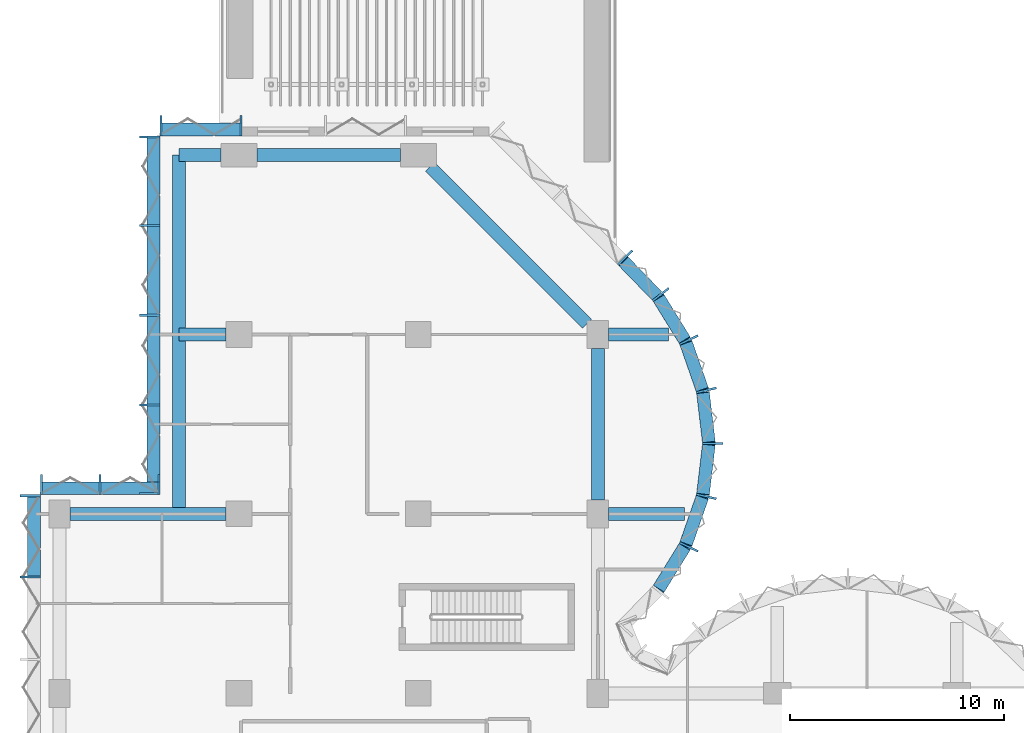
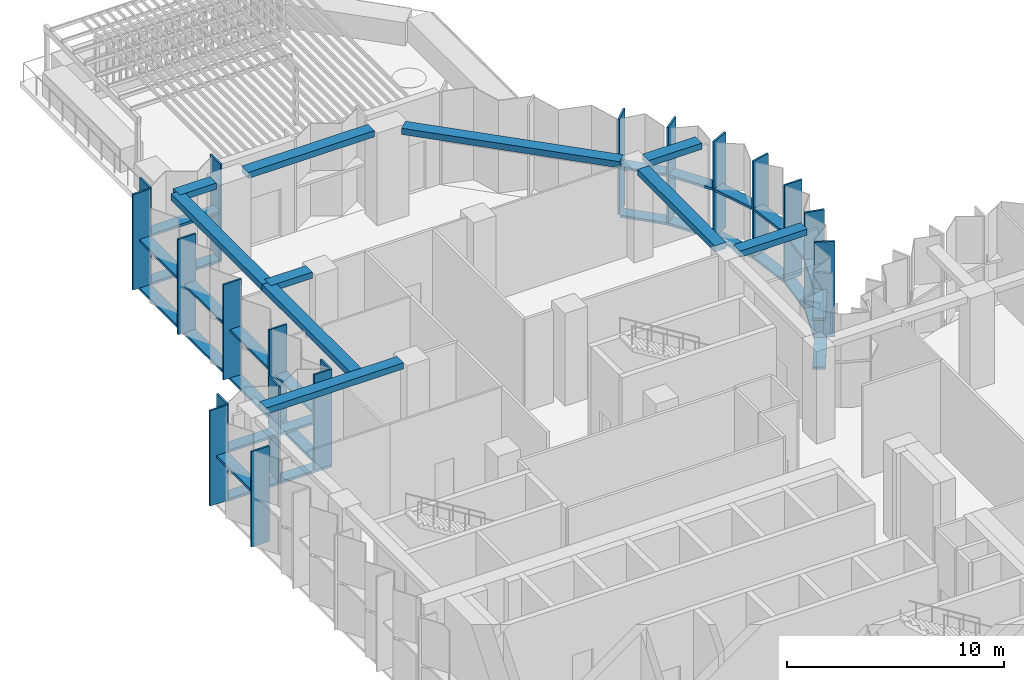
# One storey, part 3 of 15: 44 members, 10 beams, 5 elements without a shape of their own.
"""IFC4 building model written with IfcOpenShell, lengths in metres."""

from ifc_helpers import new_model, si_unit, direction, frame, origin, origin_2d, place, context, subcontext, project, spatial, rectangle, extrude, material, material_profile, profile_set, type_object, element, aggregate, save


model = new_model("IFC4")

# Units and contexts
model_context = context("Model", 3, precision=1e-05, world=origin(), true_north=direction((0.0, 1.0)))
body_context = subcontext(model_context, "Body", "Model", "MODEL_VIEW")
ifc_project = project(units=[si_unit("LENGTHUNIT", "METRE"), si_unit("AREAUNIT", "SQUARE_METRE"), si_unit("VOLUMEUNIT", "CUBIC_METRE"), si_unit("PLANEANGLEUNIT", "RADIAN"), si_unit("MASSUNIT", "GRAM", prefix="KILO")], contexts=[model_context])

# Site, building, storey
site_placement = place(None, origin())
site = spatial("IfcSite", under=ifc_project, at=site_placement, CompositionType="ELEMENT")
building_placement = place(site_placement, origin())
building = spatial("IfcBuilding", under=site, at=building_placement, Name="Brevane Broadcast Tower", CompositionType="ELEMENT")
storey_placement = place(building_placement, frame((0.0, 0.0, 156.5)))
storey = spatial("IfcBuildingStorey", under=building, at=storey_placement, Name="L39", CompositionType="ELEMENT", Elevation=156.5)

# Curtain wall, members
ifc_material_1 = material(Name="Aluminium 6063-T6 bronze anodised", Category="aluminium")
curtain_wall_type = type_object("IfcCurtainWallType", Name="CW-4 curtain wall", PredefinedType="NOTDEFINED", material=ifc_material_1)
curtain_wall_1_placement = place(storey_placement, origin())
curtain_wall_1 = element("IfcCurtainWall", 1, at=curtain_wall_1_placement, inside=storey, type_object=curtain_wall_type, Name="CW-4 sky lobby unit L39 north bow", PredefinedType="NOTDEFINED")
ifc_material_profile_1 = material_profile(ifc_material_1, rectangle(XDim=0.949951171875, YDim=0.10009765625, at=origin_2d()), Name="RECT 100x950")
ifc_profile_set_1 = profile_set([ifc_material_profile_1], Name="Aluminium 6063-T6 bronze anodised")
member_type_1 = type_object("IfcMemberType", Name="CW-4 mullion 100x950", PredefinedType="MULLION", material=ifc_profile_set_1)
member_1_placement = place(storey_placement, frame((29.4580078125, 32.05322265625, -0.159912109375), z_axis=(0.0, 0.0, 1.0), x_axis=(-0.902860518823, 0.429933580394, 0.0)))
member_1 = element("IfcMember", 2, at=member_1_placement, type_object=member_type_1, Name="CW-4 mullion", PredefinedType="MULLION", context=body_context, shape_type="SweptSolid", body=[
    extrude(rectangle(XDim=0.949951171875, YDim=0.10009765625, at=origin_2d()), origin(), (0.0, 0.0, 1.0), 5.35986328125),
])
member_2_placement = place(storey_placement, frame((30.28076171875, 34.411865234375, -0.159912109375), z_axis=(0.0, 0.0, 1.0), x_axis=(-0.974403418306, 0.224806535479, 0.0)))
member_2 = element("IfcMember", 3, at=member_2_placement, type_object=member_type_1, Name="CW-4 mullion", PredefinedType="MULLION", context=body_context, shape_type="SweptSolid", body=[
    extrude(rectangle(XDim=0.949951171875, YDim=0.10009765625, at=origin_2d()), origin(), (0.0, 0.0, 1.0), 5.35986328125),
])
member_3_placement = place(storey_placement, frame((30.574951171875, 36.89990234375, -0.159912109375), z_axis=(0.0, 0.0, 1.0), x_axis=(-1.0, 0.0, 0.0)))
member_3 = element("IfcMember", 4, at=member_3_placement, type_object=member_type_1, Name="CW-4 mullion", PredefinedType="MULLION", context=body_context, shape_type="SweptSolid", body=[
    extrude(rectangle(XDim=0.949951171875, YDim=0.10009765625, at=origin_2d()), origin(), (0.0, 0.0, 1.0), 5.35986328125),
])
member_4_placement = place(storey_placement, frame((30.28076171875, 39.38818359375, -0.159912109375), z_axis=(0.0, 0.0, 1.0), x_axis=(-0.974403418306, -0.224806535479, 0.0)))
member_4 = element("IfcMember", 5, at=member_4_placement, type_object=member_type_1, Name="CW-4 mullion", PredefinedType="MULLION", context=body_context, shape_type="SweptSolid", body=[
    extrude(rectangle(XDim=0.949951171875, YDim=0.10009765625, at=origin_2d()), origin(), (0.0, 0.0, 1.0), 5.35986328125),
])
member_5_placement = place(storey_placement, frame((29.4580078125, 41.746826171875, -0.159912109375), z_axis=(0.0, 0.0, 1.0), x_axis=(-0.902860518823, -0.429933580394, 0.0)))
member_5 = element("IfcMember", 6, at=member_5_placement, type_object=member_type_1, Name="CW-4 mullion", PredefinedType="MULLION", context=body_context, shape_type="SweptSolid", body=[
    extrude(rectangle(XDim=0.949951171875, YDim=0.10009765625, at=origin_2d()), origin(), (0.0, 0.0, 1.0), 5.35986328125),
])
member_6_placement = place(storey_placement, frame((28.1455078125, 43.8720703125, -0.159912109375), z_axis=(0.0, 0.0, 1.0), x_axis=(-0.788706673841, -0.614769698862, 0.0)))
member_6 = element("IfcMember", 7, at=member_6_placement, type_object=member_type_1, Name="CW-4 mullion", PredefinedType="MULLION", context=body_context, shape_type="SweptSolid", body=[
    extrude(rectangle(XDim=0.949951171875, YDim=0.10009765625, at=origin_2d()), origin(), (0.0, 0.0, 1.0), 5.35986328125),
])
member_7_placement = place(storey_placement, frame((26.4755859375, 45.59521484375, -0.159912109375), z_axis=(0.0, 0.0, 1.0), x_axis=(-0.717253728729, -0.696812089895, 0.0)))
member_7 = element("IfcMember", 8, at=member_7_placement, type_object=member_type_1, Name="CW-4 mullion", PredefinedType="MULLION", context=body_context, shape_type="SweptSolid", body=[
    extrude(rectangle(XDim=0.949951171875, YDim=0.10009765625, at=origin_2d()), origin(), (0.0, 0.0, 1.0), 5.35986328125),
])

curtain_wall_2_placement = place(storey_placement, origin())
curtain_wall_2 = element("IfcCurtainWall", 9, at=curtain_wall_2_placement, inside=storey, type_object=curtain_wall_type, Name="CW-4 sky lobby unit L39 north end", PredefinedType="NOTDEFINED")
member_8_placement = place(storey_placement, frame((8.5, 51.77490234375, -0.159912109375), z_axis=(0.0, 0.0, 1.0), x_axis=(0.0, -1.0, 0.0)))
member_8 = element("IfcMember", 10, at=member_8_placement, type_object=member_type_1, Name="CW-4 mullion", PredefinedType="MULLION", context=body_context, shape_type="SweptSolid", body=[
    extrude(rectangle(XDim=0.949951171875, YDim=0.10009765625, at=origin_2d()), origin(), (0.0, 0.0, 1.0), 5.35986328125),
])
member_9_placement = place(storey_placement, frame((4.75, 51.77490234375, -0.159912109375), z_axis=(0.0, 0.0, 1.0), x_axis=(0.0, -1.0, 0.0)))
member_9 = element("IfcMember", 11, at=member_9_placement, type_object=member_type_1, Name="CW-4 mullion", PredefinedType="MULLION", context=body_context, shape_type="SweptSolid", body=[
    extrude(rectangle(XDim=0.949951171875, YDim=0.10009765625, at=origin_2d()), origin(), (0.0, 0.0, 1.0), 5.35986328125),
])

curtain_wall_3_placement = place(storey_placement, origin())
curtain_wall_3 = element("IfcCurtainWall", 12, at=curtain_wall_3_placement, inside=storey, type_object=curtain_wall_type, Name="CW-4 sky lobby unit L39 north wing west face, lower block", PredefinedType="NOTDEFINED")
member_10_placement = place(storey_placement, frame((4.22509765625, 51.25, -0.159912109375), z_axis=(0.0, 0.0, 1.0), x_axis=(1.0, 0.0, 0.0)))
member_10 = element("IfcMember", 13, at=member_10_placement, type_object=member_type_1, Name="CW-4 mullion", PredefinedType="MULLION", context=body_context, shape_type="SweptSolid", body=[
    extrude(rectangle(XDim=0.949951171875, YDim=0.10009765625, at=origin_2d()), origin(), (0.0, 0.0, 1.0), 5.35986328125),
])
member_11_placement = place(storey_placement, frame((4.22509765625, 47.10009765625, -0.159912109375), z_axis=(0.0, 0.0, 1.0), x_axis=(1.0, 0.0, 0.0)))
member_11 = element("IfcMember", 14, at=member_11_placement, type_object=member_type_1, Name="CW-4 mullion", PredefinedType="MULLION", context=body_context, shape_type="SweptSolid", body=[
    extrude(rectangle(XDim=0.949951171875, YDim=0.10009765625, at=origin_2d()), origin(), (0.0, 0.0, 1.0), 5.35986328125),
])
member_12_placement = place(storey_placement, frame((4.22509765625, 42.89990234375, -0.159912109375), z_axis=(0.0, 0.0, 1.0), x_axis=(1.0, 0.0, 0.0)))
member_12 = element("IfcMember", 15, at=member_12_placement, type_object=member_type_1, Name="CW-4 mullion", PredefinedType="MULLION", context=body_context, shape_type="SweptSolid", body=[
    extrude(rectangle(XDim=0.949951171875, YDim=0.10009765625, at=origin_2d()), origin(), (0.0, 0.0, 1.0), 5.35986328125),
])
member_13_placement = place(storey_placement, frame((4.22509765625, 38.699951171875, -0.159912109375), z_axis=(0.0, 0.0, 1.0), x_axis=(1.0, 0.0, 0.0)))
member_13 = element("IfcMember", 16, at=member_13_placement, type_object=member_type_1, Name="CW-4 mullion", PredefinedType="MULLION", context=body_context, shape_type="SweptSolid", body=[
    extrude(rectangle(XDim=0.949951171875, YDim=0.10009765625, at=origin_2d()), origin(), (0.0, 0.0, 1.0), 5.35986328125),
])
member_14_placement = place(storey_placement, frame((4.22509765625, 34.550048828125, -0.159912109375), z_axis=(0.0, 0.0, 1.0), x_axis=(1.0, 0.0, 0.0)))
member_14 = element("IfcMember", 17, at=member_14_placement, type_object=member_type_1, Name="CW-4 mullion", PredefinedType="MULLION", context=body_context, shape_type="SweptSolid", body=[
    extrude(rectangle(XDim=0.949951171875, YDim=0.10009765625, at=origin_2d()), origin(), (0.0, 0.0, 1.0), 5.35986328125),
])

curtain_wall_4_placement = place(storey_placement, origin())
curtain_wall_4 = element("IfcCurtainWall", 18, at=curtain_wall_4_placement, inside=storey, type_object=curtain_wall_type, Name="CW-4 sky lobby unit L39 north wing west return, lower block", PredefinedType="NOTDEFINED")
member_15_placement = place(storey_placement, frame((4.64990234375, 34.97509765625, -0.159912109375), z_axis=(0.0, 0.0, 1.0), x_axis=(0.0, -1.0, 0.0)))
member_15 = element("IfcMember", 19, at=member_15_placement, type_object=member_type_1, Name="CW-4 mullion", PredefinedType="MULLION", context=body_context, shape_type="SweptSolid", body=[
    extrude(rectangle(XDim=0.949951171875, YDim=0.10009765625, at=origin_2d()), origin(), (0.0, 0.0, 1.0), 5.35986328125),
])
member_16_placement = place(storey_placement, frame((1.89990234375, 34.97509765625, -0.159912109375), z_axis=(0.0, 0.0, 1.0), x_axis=(0.0, -1.0, 0.0)))
member_16 = element("IfcMember", 20, at=member_16_placement, type_object=member_type_1, Name="CW-4 mullion", PredefinedType="MULLION", context=body_context, shape_type="SweptSolid", body=[
    extrude(rectangle(XDim=0.949951171875, YDim=0.10009765625, at=origin_2d()), origin(), (0.0, 0.0, 1.0), 5.35986328125),
])
member_17_placement = place(storey_placement, frame((-0.85009765625, 34.97509765625, -0.159912109375), z_axis=(0.0, 0.0, 1.0), x_axis=(0.0, -1.0, 0.0)))
member_17 = element("IfcMember", 21, at=member_17_placement, type_object=member_type_1, Name="CW-4 mullion", PredefinedType="MULLION", context=body_context, shape_type="SweptSolid", body=[
    extrude(rectangle(XDim=0.949951171875, YDim=0.10009765625, at=origin_2d()), origin(), (0.0, 0.0, 1.0), 5.35986328125),
])

curtain_wall_5_placement = place(storey_placement, origin())
curtain_wall_5 = element("IfcCurtainWall", 22, at=curtain_wall_5_placement, inside=storey, type_object=curtain_wall_type, Name="CW-4 sky lobby unit L39 west face", PredefinedType="NOTDEFINED")
member_18_placement = place(storey_placement, frame((-1.375, 34.449951171875, -0.159912109375), z_axis=(0.0, 0.0, 1.0), x_axis=(1.0, 0.0, 0.0)))
member_18 = element("IfcMember", 23, at=member_18_placement, type_object=member_type_1, Name="CW-4 mullion", PredefinedType="MULLION", context=body_context, shape_type="SweptSolid", body=[
    extrude(rectangle(XDim=0.949951171875, YDim=0.10009765625, at=origin_2d()), origin(), (0.0, 0.0, 1.0), 5.35986328125),
])
member_19_placement = place(storey_placement, frame((-1.375, 30.642822265625, -0.159912109375), z_axis=(0.0, 0.0, 1.0), x_axis=(1.0, 0.0, 0.0)))
member_19 = element("IfcMember", 24, at=member_19_placement, type_object=member_type_1, Name="CW-4 mullion", PredefinedType="MULLION", context=body_context, shape_type="SweptSolid", body=[
    extrude(rectangle(XDim=0.949951171875, YDim=0.10009765625, at=origin_2d()), origin(), (0.0, 0.0, 1.0), 5.35986328125),
])

# Member
ifc_material_profile_2 = material_profile(ifc_material_1, rectangle(XDim=0.60009765625, YDim=0.139892578125, at=origin_2d()), Name="RECT 140x600")
ifc_profile_set_2 = profile_set([ifc_material_profile_2], Name="Aluminium 6063-T6 bronze anodised")
member_type_2 = type_object("IfcMemberType", Name="CW-4 transom 140x600", PredefinedType="USERDEFINED", material=ifc_profile_set_2)
member_20_placement = place(storey_placement, frame((28.023193359375, 30.0576171875, -0.22998046875), z_axis=(0.525427766759, 0.850838211365, 0.0), x_axis=(-0.850838211365, 0.525427766759, 0.0)))
member_20 = element("IfcMember", 25, at=member_20_placement, type_object=member_type_2, Name="CW-4 transom", ObjectType="TRANSOM", PredefinedType="USERDEFINED", context=body_context, shape_type="SweptSolid", body=[
    extrude(rectangle(XDim=0.60009765625, YDim=0.139892578125, at=origin_2d()), origin(), (0.0, 0.0, 1.0), 2.394775390625),
])

member_21_placement = place(storey_placement, frame((29.314208984375, 32.163818359375, -0.22998046875), z_axis=(0.329378497041, 0.944197969542, 0.0), x_axis=(-0.944197969542, 0.329378497041, 0.0)))
member_21 = element("IfcMember", 26, at=member_21_placement, type_object=member_type_2, Name="CW-4 transom", ObjectType="TRANSOM", PredefinedType="USERDEFINED", context=body_context, shape_type="SweptSolid", body=[
    extrude(rectangle(XDim=0.60009765625, YDim=0.139892578125, at=origin_2d()), origin(), (0.0, 0.0, 1.0), 2.394775390625),
])

member_22_placement = place(storey_placement, frame((30.117431640625, 34.499755859375, -0.22998046875), z_axis=(0.117603307202, 0.993060653805, 0.0), x_axis=(-0.993060653805, 0.117603307202, 0.0)))
member_22 = element("IfcMember", 27, at=member_22_placement, type_object=member_type_2, Name="CW-4 transom", ObjectType="TRANSOM", PredefinedType="USERDEFINED", context=body_context, shape_type="SweptSolid", body=[
    extrude(rectangle(XDim=0.60009765625, YDim=0.139892578125, at=origin_2d()), origin(), (0.0, 0.0, 1.0), 2.397705078125),
])

member_23_placement = place(storey_placement, frame((30.3994140625, 36.9189453125, -0.22998046875), z_axis=(-0.117591417, 0.993062061831, 0.0), x_axis=(-0.993062061831, -0.117591417, 0.0)))
member_23 = element("IfcMember", 28, at=member_23_placement, type_object=member_type_2, Name="CW-4 transom", ObjectType="TRANSOM", PredefinedType="USERDEFINED", context=body_context, shape_type="SweptSolid", body=[
    extrude(rectangle(XDim=0.60009765625, YDim=0.139892578125, at=origin_2d()), origin(), (0.0, 0.0, 1.0), 2.39794921875),
])

member_24_placement = place(storey_placement, frame((30.10302734375, 39.375, -0.22998046875), z_axis=(-0.329378497041, 0.944197969542, 0.0), x_axis=(-0.944197969542, -0.329378497041, 0.0)))
member_24 = element("IfcMember", 29, at=member_24_placement, type_object=member_type_2, Name="CW-4 transom", ObjectType="TRANSOM", PredefinedType="USERDEFINED", context=body_context, shape_type="SweptSolid", body=[
    extrude(rectangle(XDim=0.60009765625, YDim=0.139892578125, at=origin_2d()), origin(), (0.0, 0.0, 1.0), 2.394775390625),
])

member_25_placement = place(storey_placement, frame((29.281494140625, 41.704833984375, -0.22998046875), z_axis=(-0.525473345162, 0.850810063131, 0.0), x_axis=(-0.850810063131, -0.525473345162, 0.0)))
member_25 = element("IfcMember", 30, at=member_25_placement, type_object=member_type_2, Name="CW-4 transom", ObjectType="TRANSOM", PredefinedType="USERDEFINED", context=body_context, shape_type="SweptSolid", body=[
    extrude(rectangle(XDim=0.60009765625, YDim=0.139892578125, at=origin_2d()), origin(), (0.0, 0.0, 1.0), 2.39453125),
])

member_26_placement = place(storey_placement, frame((27.974365234375, 43.800537109375, -0.22998046875), z_axis=(-0.696823999134, 0.71724215871, 0.0), x_axis=(-0.71724215871, -0.696823999134, 0.0)))
member_26 = element("IfcMember", 31, at=member_26_placement, type_object=member_type_2, Name="CW-4 transom", ObjectType="TRANSOM", PredefinedType="USERDEFINED", context=body_context, shape_type="SweptSolid", body=[
    extrude(rectangle(XDim=0.60009765625, YDim=0.139892578125, at=origin_2d()), origin(), (0.0, 0.0, 1.0), 2.247802734375),
])

member_27_placement = place(storey_placement, frame((28.049560546875, 30.100341796875, 2.5), z_axis=(0.525440912125, 0.850830093417, 0.0), x_axis=(-0.850830093417, 0.525440912125, 0.0)))
member_27 = element("IfcMember", 32, at=member_27_placement, type_object=member_type_2, Name="CW-4 transom", ObjectType="TRANSOM", PredefinedType="USERDEFINED", context=body_context, shape_type="SweptSolid", body=[
    extrude(rectangle(XDim=0.60009765625, YDim=0.139892578125, at=origin_2d()), origin(), (0.0, 0.0, 1.0), 2.300537109375),
])

member_28_placement = place(storey_placement, frame((29.328857421875, 32.20556640625, 2.5), z_axis=(0.329281950002, 0.944231643932, 0.0), x_axis=(-0.944231643932, 0.329281950002, 0.0)))
member_28 = element("IfcMember", 33, at=member_28_placement, type_object=member_type_2, Name="CW-4 transom", ObjectType="TRANSOM", PredefinedType="USERDEFINED", context=body_context, shape_type="SweptSolid", body=[
    extrude(rectangle(XDim=0.60009765625, YDim=0.139892578125, at=origin_2d()), origin(), (0.0, 0.0, 1.0), 2.30078125),
])

member_29_placement = place(storey_placement, frame((30.121337890625, 34.53271484375, 2.5), z_axis=(0.117606186803, 0.993060312783, 0.0), x_axis=(-0.993060312783, 0.117606186803, 0.0)))
member_29 = element("IfcMember", 34, at=member_29_placement, type_object=member_type_2, Name="CW-4 transom", ObjectType="TRANSOM", PredefinedType="USERDEFINED", context=body_context, shape_type="SweptSolid", body=[
    extrude(rectangle(XDim=0.60009765625, YDim=0.139892578125, at=origin_2d()), origin(), (0.0, 0.0, 1.0), 2.314697265625),
])

member_30_placement = place(storey_placement, frame((30.3935546875, 36.96875, 2.5), z_axis=(-0.117618506677, 0.993058853687, 0.0), x_axis=(-0.993058853687, -0.117618506677, 0.0)))
member_30 = element("IfcMember", 35, at=member_30_placement, type_object=member_type_2, Name="CW-4 transom", ObjectType="TRANSOM", PredefinedType="USERDEFINED", context=body_context, shape_type="SweptSolid", body=[
    extrude(rectangle(XDim=0.60009765625, YDim=0.139892578125, at=origin_2d()), origin(), (0.0, 0.0, 1.0), 2.314453125),
])

member_31_placement = place(storey_placement, frame((30.08642578125, 39.422119140625, 2.5), z_axis=(-0.329281950002, 0.944231643932, 0.0), x_axis=(-0.944231643932, -0.329281950002, 0.0)))
member_31 = element("IfcMember", 36, at=member_31_placement, type_object=member_type_2, Name="CW-4 transom", ObjectType="TRANSOM", PredefinedType="USERDEFINED", context=body_context, shape_type="SweptSolid", body=[
    extrude(rectangle(XDim=0.60009765625, YDim=0.139892578125, at=origin_2d()), origin(), (0.0, 0.0, 1.0), 2.30078125),
])

member_32_placement = place(storey_placement, frame((29.25830078125, 41.742431640625, 2.5), z_axis=(-0.525440912125, 0.850830093417, 0.0), x_axis=(-0.850830093417, -0.525440912125, 0.0)))
member_32 = element("IfcMember", 37, at=member_32_placement, type_object=member_type_2, Name="CW-4 transom", ObjectType="TRANSOM", PredefinedType="USERDEFINED", context=body_context, shape_type="SweptSolid", body=[
    extrude(rectangle(XDim=0.60009765625, YDim=0.139892578125, at=origin_2d()), origin(), (0.0, 0.0, 1.0), 2.300537109375),
])

member_33_placement = place(storey_placement, frame((27.951171875, 43.824462890625, 2.5), z_axis=(-0.696801189357, 0.717264318442, 0.0), x_axis=(-0.717264318442, -0.696801189357, 0.0)))
member_33 = element("IfcMember", 38, at=member_33_placement, type_object=member_type_2, Name="CW-4 transom", ObjectType="TRANSOM", PredefinedType="USERDEFINED", context=body_context, shape_type="SweptSolid", body=[
    extrude(rectangle(XDim=0.60009765625, YDim=0.139892578125, at=origin_2d()), origin(), (0.0, 0.0, 1.0), 2.314453125),
])

aggregate(curtain_wall_1, [member_1, member_2, member_3, member_4, member_5, member_6, member_7, member_20, member_21, member_22, member_23, member_24, member_25, member_26, member_27, member_28, member_29, member_30, member_31, member_32, member_33])

member_34_placement = place(storey_placement, frame((8.550048828125, 51.60009765625, -0.22998046875), z_axis=(-1.0, 0.0, 0.0), x_axis=(0.0, -1.0, 0.0)))
member_34 = element("IfcMember", 39, at=member_34_placement, type_object=member_type_2, Name="CW-4 transom", ObjectType="TRANSOM", PredefinedType="USERDEFINED", context=body_context, shape_type="SweptSolid", body=[
    extrude(rectangle(XDim=0.60009765625, YDim=0.139892578125, at=origin_2d()), origin(), (0.0, 0.0, 1.0), 3.85009765625),
])

member_35_placement = place(storey_placement, frame((8.5, 51.60009765625, 2.5), z_axis=(-1.0, 0.0, 0.0), x_axis=(0.0, -1.0, 0.0)))
member_35 = element("IfcMember", 40, at=member_35_placement, type_object=member_type_2, Name="CW-4 transom", ObjectType="TRANSOM", PredefinedType="USERDEFINED", context=body_context, shape_type="SweptSolid", body=[
    extrude(rectangle(XDim=0.60009765625, YDim=0.139892578125, at=origin_2d()), origin(), (0.0, 0.0, 1.0), 3.75),
])

aggregate(curtain_wall_2, [member_8, member_9, member_34, member_35])

member_36_placement = place(storey_placement, frame((4.39990234375, 51.300048828125, -0.22998046875), z_axis=(0.0, -1.0, 0.0), x_axis=(1.0, 0.0, 0.0)))
member_36 = element("IfcMember", 41, at=member_36_placement, type_object=member_type_2, Name="CW-4 transom", ObjectType="TRANSOM", PredefinedType="USERDEFINED", context=body_context, shape_type="SweptSolid", body=[
    extrude(rectangle(XDim=0.60009765625, YDim=0.139892578125, at=origin_2d()), origin(), (0.0, 0.0, 1.0), 16.800048828125),
])

member_37_placement = place(storey_placement, frame((4.39990234375, 51.25, 2.5), z_axis=(0.0, -1.0, 0.0), x_axis=(1.0, 0.0, 0.0)))
member_37 = element("IfcMember", 42, at=member_37_placement, type_object=member_type_2, Name="CW-4 transom", ObjectType="TRANSOM", PredefinedType="USERDEFINED", context=body_context, shape_type="SweptSolid", body=[
    extrude(rectangle(XDim=0.60009765625, YDim=0.139892578125, at=origin_2d()), origin(), (0.0, 0.0, 1.0), 4.10009765625),
])

member_38_placement = place(storey_placement, frame((4.39990234375, 47.050048828125, 2.5), z_axis=(0.0, -1.0, 0.0), x_axis=(1.0, 0.0, 0.0)))
member_38 = element("IfcMember", 43, at=member_38_placement, type_object=member_type_2, Name="CW-4 transom", ObjectType="TRANSOM", PredefinedType="USERDEFINED", context=body_context, shape_type="SweptSolid", body=[
    extrude(rectangle(XDim=0.60009765625, YDim=0.139892578125, at=origin_2d()), origin(), (0.0, 0.0, 1.0), 4.10009765625),
])

member_39_placement = place(storey_placement, frame((4.39990234375, 42.85009765625, 2.5), z_axis=(0.0, -1.0, 0.0), x_axis=(1.0, 0.0, 0.0)))
member_39 = element("IfcMember", 44, at=member_39_placement, type_object=member_type_2, Name="CW-4 transom", ObjectType="TRANSOM", PredefinedType="USERDEFINED", context=body_context, shape_type="SweptSolid", body=[
    extrude(rectangle(XDim=0.60009765625, YDim=0.139892578125, at=origin_2d()), origin(), (0.0, 0.0, 1.0), 4.10009765625),
])

member_40_placement = place(storey_placement, frame((4.39990234375, 38.64990234375, 2.5), z_axis=(0.0, -1.0, 0.0), x_axis=(1.0, 0.0, 0.0)))
member_40 = element("IfcMember", 45, at=member_40_placement, type_object=member_type_2, Name="CW-4 transom", ObjectType="TRANSOM", PredefinedType="USERDEFINED", context=body_context, shape_type="SweptSolid", body=[
    extrude(rectangle(XDim=0.60009765625, YDim=0.139892578125, at=origin_2d()), origin(), (0.0, 0.0, 1.0), 4.099853515625),
])

aggregate(curtain_wall_3, [member_10, member_11, member_12, member_13, member_14, member_36, member_37, member_38, member_39, member_40])

member_41_placement = place(storey_placement, frame((4.699951171875, 34.800048828125, -0.22998046875), z_axis=(-1.0, 0.0, 0.0), x_axis=(0.0, -1.0, 0.0)))
member_41 = element("IfcMember", 46, at=member_41_placement, type_object=member_type_2, Name="CW-4 transom", ObjectType="TRANSOM", PredefinedType="USERDEFINED", context=body_context, shape_type="SweptSolid", body=[
    extrude(rectangle(XDim=0.60009765625, YDim=0.139892578125, at=origin_2d()), origin(), (0.0, 0.0, 1.0), 5.599853515625),
])

member_42_placement = place(storey_placement, frame((4.64990234375, 34.800048828125, 2.5), z_axis=(-1.0, 0.0, 0.0), x_axis=(0.0, -1.0, 0.0)))
member_42 = element("IfcMember", 47, at=member_42_placement, type_object=member_type_2, Name="CW-4 transom", ObjectType="TRANSOM", PredefinedType="USERDEFINED", context=body_context, shape_type="SweptSolid", body=[
    extrude(rectangle(XDim=0.60009765625, YDim=0.139892578125, at=origin_2d()), origin(), (0.0, 0.0, 1.0), 2.699951171875),
])

member_43_placement = place(storey_placement, frame((1.85009765625, 34.800048828125, 2.5), z_axis=(-1.0, 0.0, 0.0), x_axis=(0.0, -1.0, 0.0)))
member_43 = element("IfcMember", 48, at=member_43_placement, type_object=member_type_2, Name="CW-4 transom", ObjectType="TRANSOM", PredefinedType="USERDEFINED", context=body_context, shape_type="SweptSolid", body=[
    extrude(rectangle(XDim=0.60009765625, YDim=0.139892578125, at=origin_2d()), origin(), (0.0, 0.0, 1.0), 2.7001953125),
])

aggregate(curtain_wall_4, [member_15, member_16, member_17, member_41, member_42, member_43])

member_44_placement = place(storey_placement, frame((-1.199951171875, 34.449951171875, 2.5), z_axis=(0.0, -1.0, 0.0), x_axis=(1.0, 0.0, 0.0)))
member_44 = element("IfcMember", 49, at=member_44_placement, type_object=member_type_2, Name="CW-4 transom", ObjectType="TRANSOM", PredefinedType="USERDEFINED", context=body_context, shape_type="SweptSolid", body=[
    extrude(rectangle(XDim=0.60009765625, YDim=0.139892578125, at=origin_2d()), origin(), (0.0, 0.0, 1.0), 3.757080078125),
])

aggregate(curtain_wall_5, [member_18, member_19, member_44])

# Beams
ifc_material_2 = material(Name="Concrete C40/50", Category="concrete")
ifc_material_profile_3 = material_profile(ifc_material_2, rectangle(XDim=0.60009765625, YDim=0.35009765625, at=origin_2d()), Name="RC 600x350")
ifc_profile_set_3 = profile_set([ifc_material_profile_3], Name="Concrete C40/50")
beam_type_1 = type_object("IfcBeamType", Name="RC BRACKET BEAM 600x350 C40/50", PredefinedType="BEAM", material=ifc_profile_set_3)
beam_1_placement = place(storey_placement, frame((25.699951171875, 33.60009765625, 5.02490234375), z_axis=(1.0, 0.0, 0.0), x_axis=(0.0, 1.0, 0.0)))
element("IfcBeam", 50, at=beam_1_placement, inside=storey, type_object=beam_type_1, Name="EB2 L39-1", PredefinedType="BEAM", context=body_context, shape_type="SweptSolid", body=[
    extrude(rectangle(XDim=0.60009765625, YDim=0.35009765625, at=origin_2d()), origin(), (0.0, 0.0, 1.0), 3.56201171875),
])
beam_2_placement = place(storey_placement, frame((25.699951171875, 42.0, 5.02490234375), z_axis=(1.0, 0.0, 0.0), x_axis=(0.0, 1.0, 0.0)))
element("IfcBeam", 51, at=beam_2_placement, inside=storey, type_object=beam_type_1, Name="EB2 L39-2", PredefinedType="BEAM", context=body_context, shape_type="SweptSolid", body=[
    extrude(rectangle(XDim=0.60009765625, YDim=0.35009765625, at=origin_2d()), origin(), (0.0, 0.0, 1.0), 2.8115234375),
])
beam_3_placement = place(storey_placement, frame((7.800048828125, 42.0, 5.02490234375), z_axis=(-1.0, 0.0, 0.0), x_axis=(0.0, -1.0, 0.0)))
element("IfcBeam", 52, at=beam_3_placement, inside=storey, type_object=beam_type_1, Name="EB2 L39-5", PredefinedType="BEAM", context=body_context, shape_type="SweptSolid", body=[
    extrude(rectangle(XDim=0.60009765625, YDim=0.35009765625, at=origin_2d()), origin(), (0.0, 0.0, 1.0), 2.199951171875),
])
ifc_material_profile_4 = material_profile(ifc_material_2, rectangle(XDim=0.60009765625, YDim=0.35009765625, at=origin_2d()), Name="RC 600x350")
ifc_profile_set_4 = profile_set([ifc_material_profile_4], Name="Concrete C40/50")
beam_type_2 = type_object("IfcBeamType", Name="RC SPANDREL BEAM 600x350 C40/50", PredefinedType="SPANDREL", material=ifc_profile_set_4)
beam_4_placement = place(storey_placement, frame((25.199951171875, 34.25, 5.02490234375), z_axis=(0.0, 1.0, 0.0), x_axis=(-1.0, 0.0, 0.0)))
element("IfcBeam", 53, at=beam_4_placement, inside=storey, type_object=beam_type_2, Name="EB1 L39-11", PredefinedType="SPANDREL", context=body_context, shape_type="SweptSolid", body=[
    extrude(rectangle(XDim=0.60009765625, YDim=0.35009765625, at=origin_2d()), origin(), (0.0, 0.0, 1.0), 7.10009765625),
])
beam_5_placement = place(storey_placement, frame((24.699951171875, 42.5, 5.02490234375), z_axis=(-0.707095037275, 0.707118524903, 0.0), x_axis=(-0.707118524903, -0.707095037275, 0.0)))
element("IfcBeam", 54, at=beam_5_placement, inside=storey, type_object=beam_type_2, Name="EB1 L39-12", PredefinedType="SPANDREL", context=body_context, shape_type="SweptSolid", body=[
    extrude(rectangle(XDim=0.60009765625, YDim=0.35009765625, at=origin_2d()), origin(), (0.0, 0.0, 1.0), 10.39453125),
])
beam_6_placement = place(storey_placement, frame((15.949951171875, 50.39990234375, 5.02490234375), z_axis=(-1.0, 0.0, 0.0), x_axis=(0.0, -1.0, 0.0)))
element("IfcBeam", 55, at=beam_6_placement, inside=storey, type_object=beam_type_2, Name="EB1 L39-13", PredefinedType="SPANDREL", context=body_context, shape_type="SweptSolid", body=[
    extrude(rectangle(XDim=0.60009765625, YDim=0.35009765625, at=origin_2d()), origin(), (0.0, 0.0, 1.0), 6.699951171875),
])
beam_7_placement = place(storey_placement, frame((0.5, 33.60009765625, 5.02490234375), z_axis=(1.0, 0.0, 0.0), x_axis=(0.0, 1.0, 0.0)))
element("IfcBeam", 56, at=beam_7_placement, inside=storey, type_object=beam_type_2, Name="EB1 L39-16", PredefinedType="SPANDREL", context=body_context, shape_type="SweptSolid", body=[
    extrude(rectangle(XDim=0.60009765625, YDim=0.35009765625, at=origin_2d()), origin(), (0.0, 0.0, 1.0), 7.300048828125),
])
for number, where, z_axis, x_axis, name in (
    (57, (5.60009765625, 33.60009765625, 5.02490234375), (0.0, 1.0, 0.0), (-1.0, 0.0, 0.0), "EB1 L39-17"),
    (58, (5.60009765625, 42.0, 5.02490234375), (0.0, 1.0, 0.0), (-1.0, 0.0, 0.0), "EB1 L39-18"),
):
    element("IfcBeam", number, at=place(storey_placement, frame(where, z_axis=z_axis, x_axis=x_axis)), inside=storey, type_object=beam_type_2, Name=name, PredefinedType="SPANDREL", context=body_context, shape_type="SweptSolid", body=[
        extrude(rectangle(XDim=0.60009765625, YDim=0.35009765625, at=origin_2d()), origin(), (0.0, 0.0, 1.0), 8.39990234375),
    ])
beam_8_placement = place(storey_placement, frame((5.60009765625, 50.39990234375, 5.02490234375), z_axis=(1.0, 0.0, 0.0), x_axis=(0.0, 1.0, 0.0)))
element("IfcBeam", 59, at=beam_8_placement, inside=storey, type_object=beam_type_2, Name="EB1 L39-19", PredefinedType="SPANDREL", context=body_context, shape_type="SweptSolid", body=[
    extrude(rectangle(XDim=0.60009765625, YDim=0.35009765625, at=origin_2d()), origin(), (0.0, 0.0, 1.0), 1.949951171875),
])

save(model, "model.ifc")
